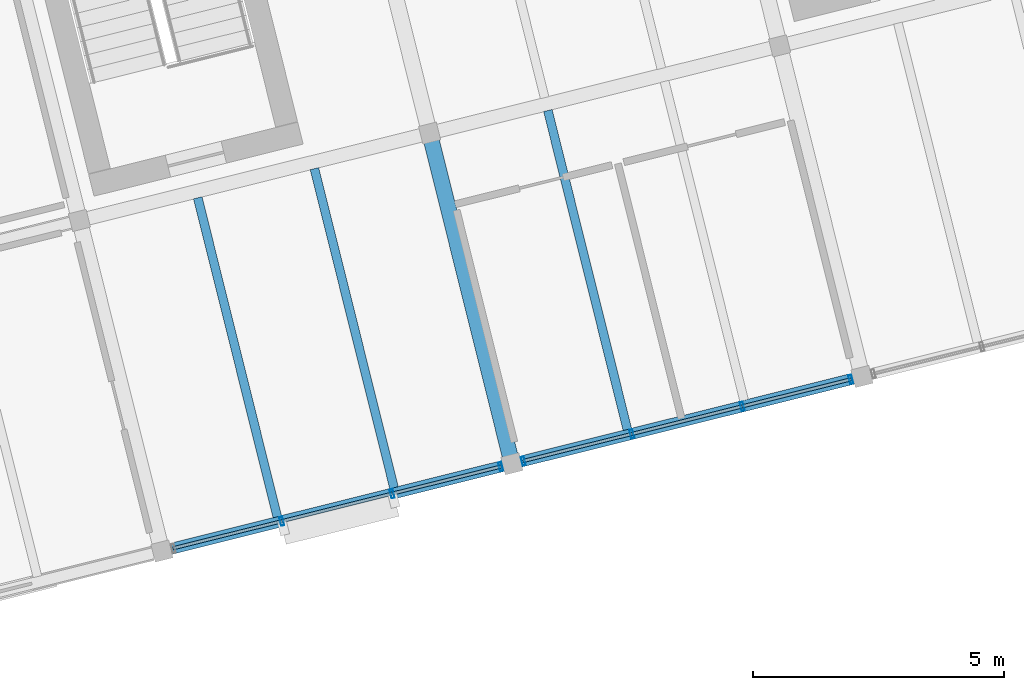
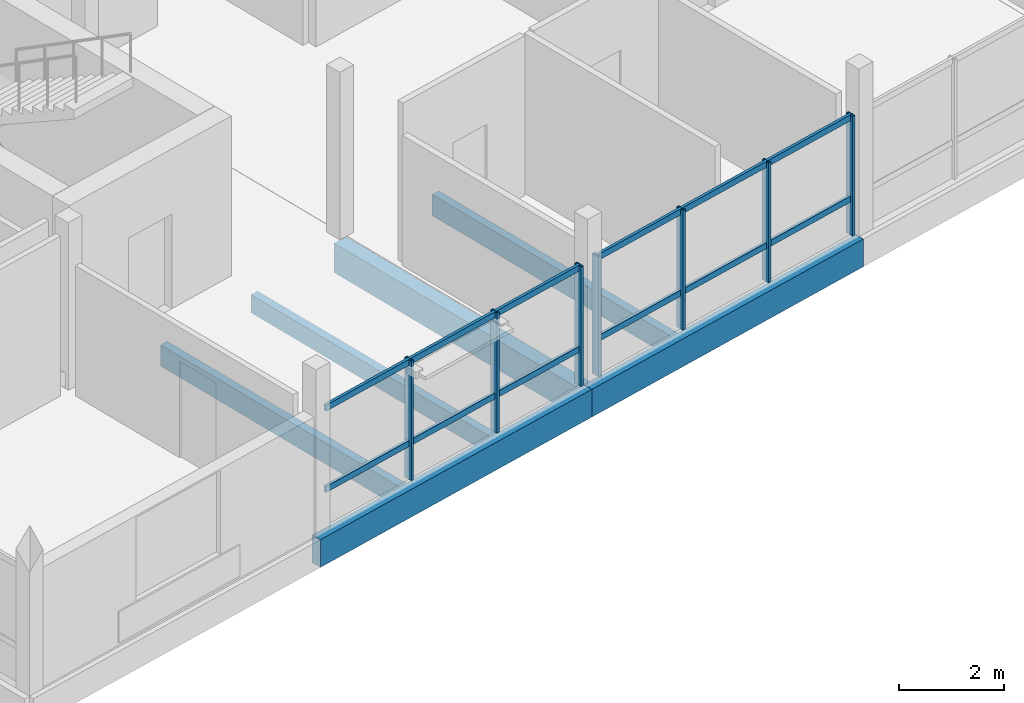
# One storey, part 4 of 28: 19 members, 6 beams, 2 elements without a shape of their own.
"""IFC4 building model written with IfcOpenShell, lengths in metres."""

from ifc_helpers import new_model, si_unit, direction, frame, origin, origin_2d, place, context, subcontext, project, spatial, rectangle, hollow_rectangle, extrude, material, layer, layer_set, material_profile, profile_set, type_object, element, aggregate, save


model = new_model("IFC4")

# Units and contexts
model_context = context("Model", 3, precision=1e-05, world=origin(), true_north=direction((0.0, 1.0)))
body_context = subcontext(model_context, "Body", "Model", "MODEL_VIEW")
ifc_project = project(units=[si_unit("LENGTHUNIT", "METRE"), si_unit("AREAUNIT", "SQUARE_METRE"), si_unit("VOLUMEUNIT", "CUBIC_METRE"), si_unit("PLANEANGLEUNIT", "RADIAN"), si_unit("MASSUNIT", "GRAM", prefix="KILO")], contexts=[model_context])

# Site, building, storey
site_placement = place(None, origin())
site = spatial("IfcSite", under=ifc_project, at=site_placement, CompositionType="ELEMENT")
building_placement = place(site_placement, origin())
building = spatial("IfcBuilding", under=site, at=building_placement, Name="Meriwether Solvik Hall", CompositionType="ELEMENT")
storey_placement = place(building_placement, frame((0.0, 0.0, 37.800048828125)))
storey = spatial("IfcBuildingStorey", under=building, at=storey_placement, Name="L09", CompositionType="ELEMENT", Elevation=37.800048828125)

# Beams
ifc_material_1 = material(Name="Glulam Douglas-Fir 24F-V8 GL28h", Category="wood")
ifc_material_profile_1 = material_profile(ifc_material_1, rectangle(XDim=0.221923828125, YDim=0.64501953125, at=origin_2d()), Name="GLB-222X645")
ifc_profile_set_1 = profile_set([ifc_material_profile_1], Name="Glulam Douglas-Fir 24F-V8 GL28h")
beam_type_1 = type_object("IfcBeamType", Name="BM-GL-222X645", PredefinedType="SPANDREL", material=ifc_profile_set_1)
for number, where, z_axis, x_axis, name in (
    (1, (75.974365234375, 43.03857421875, -0.50244140625), (0.970291911955, 0.241937193493, 0.0), (-0.241937193493, 0.970291911955, 0.0), "Tower Girder TA:T2-T3 (L09)"),
    (2, (82.96044921875, 44.780517578125, -0.50244140625), (0.970299871507, 0.241905269381, 0.0), (-0.241905269381, 0.970299871507, 0.0), "Tower Girder TA:T3-T4 (L09)"),
):
    element("IfcBeam", number, at=place(storey_placement, frame(where, z_axis=z_axis, x_axis=x_axis)), inside=storey, type_object=beam_type_1, Name=name, PredefinedType="SPANDREL", context=body_context, shape_type="SweptSolid", body=[
        extrude(rectangle(XDim=0.221923828125, YDim=0.64501953125, at=origin_2d()), origin(), (0.0, 0.0, 1.0), 7.199951171875),
    ])
ifc_material_2 = material(Name="Glulam Douglas-Fir 24F-V8 GL28h", Category="wood")
ifc_material_profile_2 = material_profile(ifc_material_2, rectangle(XDim=0.31494140625, YDim=0.68505859375, at=origin_2d()), Name="GLB-315X685")
ifc_profile_set_2 = profile_set([ifc_material_profile_2], Name="Glulam Douglas-Fir 24F-V8 GL28h")
beam_type_2 = type_object("IfcBeamType", Name="BM-GL-315X685", PredefinedType="BEAM", material=ifc_profile_set_2)
beam_1_placement = place(storey_placement, frame((82.96044921875, 44.780517578125, -0.5224609375), z_axis=(-0.241918877831, 0.970296478685, 0.0), x_axis=(-0.970296478685, -0.241918877831, 0.0)))
element("IfcBeam", 3, at=beam_1_placement, inside=storey, type_object=beam_type_2, Name="Tower Girder T3:TA-TB (L09)", PredefinedType="BEAM", context=body_context, shape_type="SweptSolid", body=[
    extrude(rectangle(XDim=0.31494140625, YDim=0.68505859375, at=origin_2d()), origin(), (0.0, 0.0, 1.0), 6.7998046875),
])

# Curtain wall, members
ifc_material_3 = material(Name="Thermally Broken Anodised Aluminium 6063-T6 and Low-E Glass", Category="aluminium")
ifc_layer_1 = layer(ifc_material_3, 0.179931640625)
ifc_layer_set_1 = layer_set([ifc_layer_1], Name="Thermally Broken Anodised Aluminium 6063-T6 and Low-E Glass")
curtain_wall_type_1 = type_object("IfcCurtainWallType", Name="CW-UNIT-A", PredefinedType="USERDEFINED", material=ifc_layer_set_1)
curtain_wall_1_placement = place(storey_placement, origin())
curtain_wall_1 = element("IfcCurtainWall", 4, at=curtain_wall_1_placement, inside=storey, type_object=curtain_wall_type_1, Name="Curtain Wall E0_B1 (L09)", ObjectType="UNITISED CURTAIN WALL", PredefinedType="USERDEFINED")
ifc_material_4 = material(Name="Anodised Aluminium 6063-T6", Category="aluminium")
ifc_material_profile_3 = material_profile(ifc_material_4, hollow_rectangle(XDim=0.06494140625, YDim=0.179931640625, WallThickness=0.00439453125, at=origin_2d()), Name="CWM-65X180")
ifc_profile_set_3 = profile_set([ifc_material_profile_3], Name="Anodised Aluminium 6063-T6")
member_type_1 = type_object("IfcMemberType", Name="CW-MUL-65X180", PredefinedType="MULLION", material=ifc_profile_set_3)
member_1_placement = place(storey_placement, frame((82.73486328125, 44.72412109375, 0.0), z_axis=(0.0, 0.0, 1.0), x_axis=(-0.970295725693, -0.241921897937, 0.0)))
member_1 = element("IfcMember", 5, at=member_1_placement, type_object=member_type_1, Name="Curtain Wall Mullion 1", PredefinedType="MULLION", context=body_context, shape_type="SweptSolid", body=[
    extrude(hollow_rectangle(XDim=0.06494140625, YDim=0.179931640625, WallThickness=0.00439453125, at=origin_2d()), origin(), (0.0, 0.0, 1.0), 2.7900390625),
])
member_2_placement = place(storey_placement, frame((80.56884765625, 44.18408203125, 0.0), z_axis=(0.0, 0.0, 1.0), x_axis=(-0.970295725693, -0.241921897937, 0.0)))
member_2 = element("IfcMember", 6, at=member_2_placement, type_object=member_type_1, Name="Curtain Wall Mullion 2", PredefinedType="MULLION", context=body_context, shape_type="SweptSolid", body=[
    extrude(hollow_rectangle(XDim=0.06494140625, YDim=0.179931640625, WallThickness=0.00439453125, at=origin_2d()), origin(), (0.0, 0.0, 1.0), 2.7900390625),
])
member_3_placement = place(storey_placement, frame((78.365966796875, 43.635009765625, 0.0), z_axis=(0.0, 0.0, 1.0), x_axis=(-0.970295725693, -0.241921897937, 0.0)))
member_3 = element("IfcMember", 7, at=member_3_placement, type_object=member_type_1, Name="Curtain Wall Mullion 3", PredefinedType="MULLION", context=body_context, shape_type="SweptSolid", body=[
    extrude(hollow_rectangle(XDim=0.06494140625, YDim=0.179931640625, WallThickness=0.00439453125, at=origin_2d()), origin(), (0.0, 0.0, 1.0), 2.7900390625),
])

ifc_material_5 = material(Name="Thermally Broken Anodised Aluminium 6063-T6 and Low-E Glass", Category="aluminium")
ifc_layer_2 = layer(ifc_material_5, 0.179931640625)
ifc_layer_set_2 = layer_set([ifc_layer_2], Name="Thermally Broken Anodised Aluminium 6063-T6 and Low-E Glass")
curtain_wall_type_2 = type_object("IfcCurtainWallType", Name="CW-UNIT-B", PredefinedType="USERDEFINED", material=ifc_layer_set_2)
curtain_wall_2_placement = place(storey_placement, origin())
curtain_wall_2 = element("IfcCurtainWall", 8, at=curtain_wall_2_placement, inside=storey, type_object=curtain_wall_type_2, Name="Curtain Wall E0_B2 (L09)", ObjectType="UNITISED CURTAIN WALL", PredefinedType="USERDEFINED")
member_4_placement = place(storey_placement, frame((89.720947265625, 46.466064453125, 0.0), z_axis=(0.0, 0.0, 1.0), x_axis=(-0.970295725693, -0.241921897937, 0.0)))
member_4 = element("IfcMember", 9, at=member_4_placement, type_object=member_type_1, Name="Curtain Wall Mullion 1", PredefinedType="MULLION", context=body_context, shape_type="SweptSolid", body=[
    extrude(hollow_rectangle(XDim=0.06494140625, YDim=0.179931640625, WallThickness=0.00439453125, at=origin_2d()), origin(), (0.0, 0.0, 1.0), 2.7900390625),
])
member_5_placement = place(storey_placement, frame((87.554931640625, 45.926025390625, 0.0), z_axis=(0.0, 0.0, 1.0), x_axis=(-0.970295725693, -0.241921897937, 0.0)))
member_5 = element("IfcMember", 10, at=member_5_placement, type_object=member_type_1, Name="Curtain Wall Mullion 2", PredefinedType="MULLION", context=body_context, shape_type="SweptSolid", body=[
    extrude(hollow_rectangle(XDim=0.06494140625, YDim=0.179931640625, WallThickness=0.00439453125, at=origin_2d()), origin(), (0.0, 0.0, 1.0), 2.7900390625),
])
member_6_placement = place(storey_placement, frame((85.35205078125, 45.376708984375, 0.0), z_axis=(0.0, 0.0, 1.0), x_axis=(-0.970295725693, -0.241921897937, 0.0)))
member_6 = element("IfcMember", 11, at=member_6_placement, type_object=member_type_1, Name="Curtain Wall Mullion 3", PredefinedType="MULLION", context=body_context, shape_type="SweptSolid", body=[
    extrude(hollow_rectangle(XDim=0.06494140625, YDim=0.179931640625, WallThickness=0.00439453125, at=origin_2d()), origin(), (0.0, 0.0, 1.0), 2.7900390625),
])
member_7_placement = place(storey_placement, frame((83.18603515625, 44.836669921875, 0.0), z_axis=(0.0, 0.0, 1.0), x_axis=(-0.970295725693, -0.241921897937, 0.0)))
member_7 = element("IfcMember", 12, at=member_7_placement, type_object=member_type_1, Name="Curtain Wall Mullion 4", PredefinedType="MULLION", context=body_context, shape_type="SweptSolid", body=[
    extrude(hollow_rectangle(XDim=0.06494140625, YDim=0.179931640625, WallThickness=0.00439453125, at=origin_2d()), origin(), (0.0, 0.0, 1.0), 2.7900390625),
])

# Member
ifc_material_6 = material(Name="Anodised Aluminium 6063-T6", Category="aluminium")
ifc_material_profile_4 = material_profile(ifc_material_6, hollow_rectangle(XDim=0.06494140625, YDim=0.139892578125, WallThickness=0.00439453125, at=origin_2d()), Name="CWT-65X140")
ifc_profile_set_4 = profile_set([ifc_material_profile_4], Name="Anodised Aluminium 6063-T6")
member_type_2 = type_object("IfcMemberType", Name="CW-TRN-65X140", PredefinedType="USERDEFINED", material=ifc_profile_set_4)
member_8_placement = place(storey_placement, frame((82.73486328125, 44.72412109375, 0.8369140625), z_axis=(-0.970296702868, -0.241917978668, 0.0), x_axis=(0.241917978668, -0.970296702868, 0.0)))
member_8 = element("IfcMember", 13, at=member_8_placement, type_object=member_type_2, Name="Curtain Wall Transom 1-sill", ObjectType="TRANSOM", PredefinedType="USERDEFINED", context=body_context, shape_type="SweptSolid", body=[
    extrude(hollow_rectangle(XDim=0.06494140625, YDim=0.139892578125, WallThickness=0.00439453125, at=origin_2d()), origin(), (0.0, 0.0, 1.0), 2.232421875),
])

member_9_placement = place(storey_placement, frame((82.73486328125, 44.72412109375, 2.72998046875), z_axis=(-0.970296702868, -0.241917978668, 0.0), x_axis=(0.241917978668, -0.970296702868, 0.0)))
member_9 = element("IfcMember", 14, at=member_9_placement, type_object=member_type_2, Name="Curtain Wall Transom 1-head", ObjectType="TRANSOM", PredefinedType="USERDEFINED", context=body_context, shape_type="SweptSolid", body=[
    extrude(hollow_rectangle(XDim=0.06494140625, YDim=0.139892578125, WallThickness=0.00439453125, at=origin_2d()), origin(), (0.0, 0.0, 1.0), 2.232421875),
])

member_10_placement = place(storey_placement, frame((80.56884765625, 44.18408203125, 0.8369140625), z_axis=(-0.970313054834, -0.241852383943, 0.0), x_axis=(0.241852383943, -0.970313054834, 0.0)))
member_10 = element("IfcMember", 15, at=member_10_placement, type_object=member_type_2, Name="Curtain Wall Transom 2-sill", ObjectType="TRANSOM", PredefinedType="USERDEFINED", context=body_context, shape_type="SweptSolid", body=[
    extrude(hollow_rectangle(XDim=0.06494140625, YDim=0.139892578125, WallThickness=0.00439453125, at=origin_2d()), origin(), (0.0, 0.0, 1.0), 2.270263671875),
])

member_11_placement = place(storey_placement, frame((80.56884765625, 44.18408203125, 2.72998046875), z_axis=(-0.970313054834, -0.241852383943, 0.0), x_axis=(0.241852383943, -0.970313054834, 0.0)))
member_11 = element("IfcMember", 16, at=member_11_placement, type_object=member_type_2, Name="Curtain Wall Transom 2-head", ObjectType="TRANSOM", PredefinedType="USERDEFINED", context=body_context, shape_type="SweptSolid", body=[
    extrude(hollow_rectangle(XDim=0.06494140625, YDim=0.139892578125, WallThickness=0.00439453125, at=origin_2d()), origin(), (0.0, 0.0, 1.0), 2.270263671875),
])

member_12_placement = place(storey_placement, frame((78.365966796875, 43.635009765625, 0.8369140625), z_axis=(-0.970296702868, -0.241917978668, 0.0), x_axis=(0.241917978668, -0.970296702868, 0.0)))
member_12 = element("IfcMember", 17, at=member_12_placement, type_object=member_type_2, Name="Curtain Wall Transom 3-sill", ObjectType="TRANSOM", PredefinedType="USERDEFINED", context=body_context, shape_type="SweptSolid", body=[
    extrude(hollow_rectangle(XDim=0.06494140625, YDim=0.139892578125, WallThickness=0.00439453125, at=origin_2d()), origin(), (0.0, 0.0, 1.0), 2.232421875),
])

member_13_placement = place(storey_placement, frame((78.365966796875, 43.635009765625, 2.72998046875), z_axis=(-0.970296702868, -0.241917978668, 0.0), x_axis=(0.241917978668, -0.970296702868, 0.0)))
member_13 = element("IfcMember", 18, at=member_13_placement, type_object=member_type_2, Name="Curtain Wall Transom 3-head", ObjectType="TRANSOM", PredefinedType="USERDEFINED", context=body_context, shape_type="SweptSolid", body=[
    extrude(hollow_rectangle(XDim=0.06494140625, YDim=0.139892578125, WallThickness=0.00439453125, at=origin_2d()), origin(), (0.0, 0.0, 1.0), 2.232421875),
])

aggregate(curtain_wall_1, [member_1, member_2, member_3, member_8, member_9, member_10, member_11, member_12, member_13])

member_14_placement = place(storey_placement, frame((89.720947265625, 46.466064453125, 0.8369140625), z_axis=(-0.970296702868, -0.241917978668, 0.0), x_axis=(0.241917978668, -0.970296702868, 0.0)))
member_14 = element("IfcMember", 19, at=member_14_placement, type_object=member_type_2, Name="Curtain Wall Transom 1-sill", ObjectType="TRANSOM", PredefinedType="USERDEFINED", context=body_context, shape_type="SweptSolid", body=[
    extrude(hollow_rectangle(XDim=0.06494140625, YDim=0.139892578125, WallThickness=0.00439453125, at=origin_2d()), origin(), (0.0, 0.0, 1.0), 2.232421875),
])

member_15_placement = place(storey_placement, frame((89.720947265625, 46.466064453125, 2.72998046875), z_axis=(-0.970296702868, -0.241917978668, 0.0), x_axis=(0.241917978668, -0.970296702868, 0.0)))
member_15 = element("IfcMember", 20, at=member_15_placement, type_object=member_type_2, Name="Curtain Wall Transom 1-head", ObjectType="TRANSOM", PredefinedType="USERDEFINED", context=body_context, shape_type="SweptSolid", body=[
    extrude(hollow_rectangle(XDim=0.06494140625, YDim=0.139892578125, WallThickness=0.00439453125, at=origin_2d()), origin(), (0.0, 0.0, 1.0), 2.232421875),
])

member_16_placement = place(storey_placement, frame((87.554931640625, 45.926025390625, 0.8369140625), z_axis=(-0.970287814054, -0.241953627576, 0.0), x_axis=(0.241953627576, -0.970287814054, 0.0)))
member_16 = element("IfcMember", 21, at=member_16_placement, type_object=member_type_2, Name="Curtain Wall Transom 2-sill", ObjectType="TRANSOM", PredefinedType="USERDEFINED", context=body_context, shape_type="SweptSolid", body=[
    extrude(hollow_rectangle(XDim=0.06494140625, YDim=0.139892578125, WallThickness=0.00439453125, at=origin_2d()), origin(), (0.0, 0.0, 1.0), 2.270263671875),
])

member_17_placement = place(storey_placement, frame((87.554931640625, 45.926025390625, 2.72998046875), z_axis=(-0.970287814054, -0.241953627576, 0.0), x_axis=(0.241953627576, -0.970287814054, 0.0)))
member_17 = element("IfcMember", 22, at=member_17_placement, type_object=member_type_2, Name="Curtain Wall Transom 2-head", ObjectType="TRANSOM", PredefinedType="USERDEFINED", context=body_context, shape_type="SweptSolid", body=[
    extrude(hollow_rectangle(XDim=0.06494140625, YDim=0.139892578125, WallThickness=0.00439453125, at=origin_2d()), origin(), (0.0, 0.0, 1.0), 2.270263671875),
])

member_18_placement = place(storey_placement, frame((85.35205078125, 45.376708984375, 0.8369140625), z_axis=(-0.970296702868, -0.241917978668, 0.0), x_axis=(0.241917978668, -0.970296702868, 0.0)))
member_18 = element("IfcMember", 23, at=member_18_placement, type_object=member_type_2, Name="Curtain Wall Transom 3-sill", ObjectType="TRANSOM", PredefinedType="USERDEFINED", context=body_context, shape_type="SweptSolid", body=[
    extrude(hollow_rectangle(XDim=0.06494140625, YDim=0.139892578125, WallThickness=0.00439453125, at=origin_2d()), origin(), (0.0, 0.0, 1.0), 2.232421875),
])

member_19_placement = place(storey_placement, frame((85.35205078125, 45.376708984375, 2.72998046875), z_axis=(-0.970296702868, -0.241917978668, 0.0), x_axis=(0.241917978668, -0.970296702868, 0.0)))
member_19 = element("IfcMember", 24, at=member_19_placement, type_object=member_type_2, Name="Curtain Wall Transom 3-head", ObjectType="TRANSOM", PredefinedType="USERDEFINED", context=body_context, shape_type="SweptSolid", body=[
    extrude(hollow_rectangle(XDim=0.06494140625, YDim=0.139892578125, WallThickness=0.00439453125, at=origin_2d()), origin(), (0.0, 0.0, 1.0), 2.232421875),
])

aggregate(curtain_wall_2, [member_4, member_5, member_6, member_7, member_14, member_15, member_16, member_17, member_18, member_19])

# Beams
ifc_material_7 = material(Name="Glulam Douglas-Fir 24F-V8 GL28h", Category="wood")
ifc_material_profile_5 = material_profile(ifc_material_7, rectangle(XDim=0.175048828125, YDim=0.419921875, at=origin_2d()), Name="GLJ-175X420")
ifc_profile_set_5 = profile_set([ifc_material_profile_5], Name="Glulam Douglas-Fir 24F-V8 GL28h")
beam_type_3 = type_object("IfcBeamType", Name="JST-GL-175X420", PredefinedType="JOIST", material=ifc_profile_set_5)
beam_2_placement = place(storey_placement, frame((80.60595703125, 44.302734375, -0.39013671875), z_axis=(-0.241931575219, 0.970293312824, 0.0), x_axis=(-0.970293312824, -0.241931575219, 0.0)))
element("IfcBeam", 25, at=beam_2_placement, inside=storey, type_object=beam_type_3, Name="Glulam Floor Joist T2/TA-J2 (L09)", PredefinedType="JOIST", context=body_context, shape_type="SweptSolid", body=[
    extrude(rectangle(XDim=0.175048828125, YDim=0.419921875, at=origin_2d()), origin(), (0.0, 0.0, 1.0), 6.5625),
])
ifc_material_8 = material(Name="Glulam Douglas-Fir 24F-V8 GL28h", Category="wood")
ifc_material_profile_6 = material_profile(ifc_material_8, rectangle(XDim=0.175048828125, YDim=0.4951171875, at=origin_2d()), Name="GLJ-175X495")
ifc_profile_set_6 = profile_set([ifc_material_profile_6], Name="Glulam Douglas-Fir 24F-V8 GL28h")
beam_type_4 = type_object("IfcBeamType", Name="JST-GL-175X495", PredefinedType="JOIST", material=ifc_profile_set_6)
for number, where, z_axis, x_axis, name in (
    (26, (78.27734375, 43.72216796875, -0.427490234375), (-0.241931575219, 0.970293312824, 0.0), (-0.970293312824, -0.241931575219, 0.0), "Glulam Floor Joist T2/TA-J1 (L09)"),
    (27, (85.263427734375, 45.4638671875, -0.427490234375), (-0.241922842305, 0.970295490235, 0.0), (-0.970295490235, -0.241922842305, 0.0), "Glulam Floor Joist T3/TA-J1 (L09)"),
):
    element("IfcBeam", number, at=place(storey_placement, frame(where, z_axis=z_axis, x_axis=x_axis)), inside=storey, type_object=beam_type_4, Name=name, PredefinedType="JOIST", context=body_context, shape_type="SweptSolid", body=[
        extrude(rectangle(XDim=0.175048828125, YDim=0.4951171875, at=origin_2d()), origin(), (0.0, 0.0, 1.0), 6.5625),
    ])

save(model, "model.ifc")
